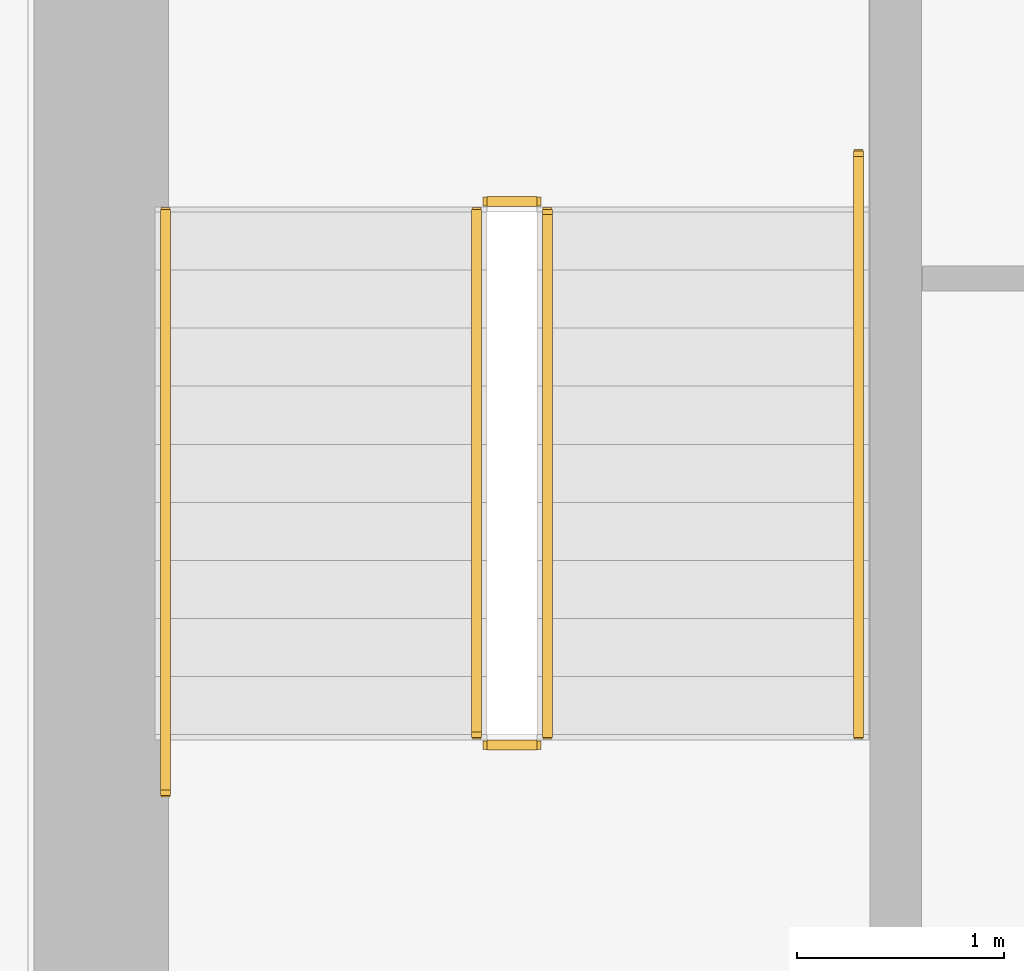
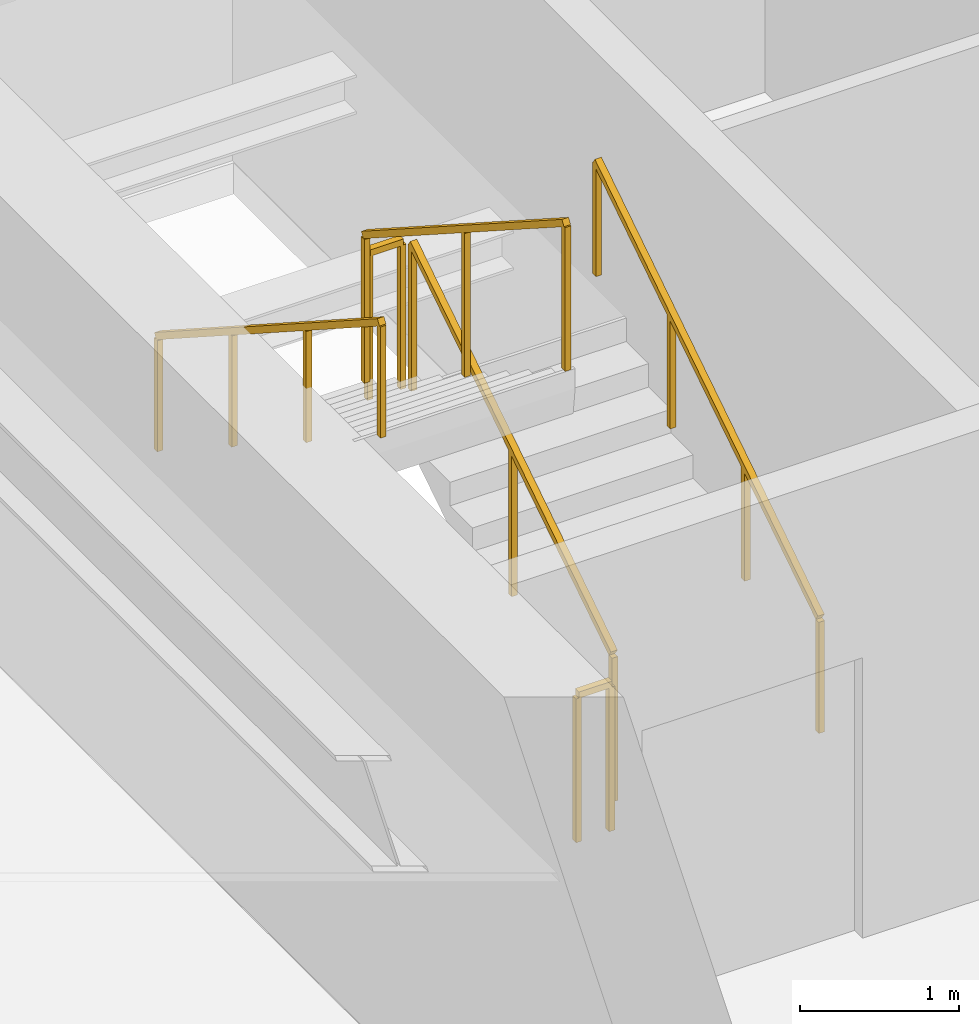
# One storey, part 33 of 36: 6 railings.
"""IFC4 building model written with IfcOpenShell, lengths in metres."""

from ifc_helpers import new_model, si_unit, direction, frame, origin, origin_2d, place, context, subcontext, project, spatial, rectangle, extrude, material, type_object, element, save


model = new_model("IFC4")

# Units and contexts
model_context = context("Model", 3, precision=1e-05, world=origin(), true_north=direction((0.0, 1.0)))
body_context = subcontext(model_context, "Body", "Model", "MODEL_VIEW")
ifc_project = project(units=[si_unit("LENGTHUNIT", "METRE"), si_unit("AREAUNIT", "SQUARE_METRE"), si_unit("VOLUMEUNIT", "CUBIC_METRE"), si_unit("PLANEANGLEUNIT", "RADIAN"), si_unit("MASSUNIT", "GRAM", prefix="KILO")], contexts=[model_context])

# Site, building, storey
site_placement = place(None, origin())
site = spatial("IfcSite", under=ifc_project, at=site_placement, CompositionType="ELEMENT")
building_placement = place(site_placement, origin())
building = spatial("IfcBuilding", under=site, at=building_placement, Name="Sumidabori Civic Tower", CompositionType="ELEMENT")
storey_placement = place(building_placement, frame((0.0, 0.0, 120.800048828125)))
storey = spatial("IfcBuildingStorey", under=building, at=storey_placement, Name="L31", CompositionType="ELEMENT", Elevation=120.800048828125)

# Railings
ifc_material_1 = material(Name="Stainless Steel Hairline Finish", Category="steel")
railing_type_1 = type_object("IfcRailingType", Name="RL-HANDRAIL", PredefinedType="HANDRAIL", material=ifc_material_1)
railing_1_placement = place(storey_placement, frame((-11.949951171875, 16.0, 0.179931640625)))
element("IfcRailing", 1, at=railing_1_placement, inside=storey, type_object=railing_type_1, Name="L31 ST-1 stair handrail 1", PredefinedType="HANDRAIL", context=body_context, shape_type="SweptSolid", body=[
    extrude(rectangle(XDim=0.048095703125, YDim=0.048095703125, at=origin_2d()), frame((0.0, 0.0, 0.8759765625), z_axis=(0.0, 0.840675598268, 0.541539046124), x_axis=(-1.0, 0.0, 0.0)), (0.0, 0.0, 1.0), 3.330810546875),
    extrude(rectangle(XDim=0.0419921875, YDim=0.0419921875, at=origin_2d()), origin(), (0.0, 0.0, 1.0), 0.851806640625),
    extrude(rectangle(XDim=0.0419921875, YDim=0.0419921875, at=origin_2d()), frame((0.0, 0.933349609375, 0.601318359375)), (0.0, 0.0, 1.0), 0.851806640625),
    extrude(rectangle(XDim=0.0419921875, YDim=0.0419921875, at=origin_2d()), frame((0.0, 1.86669921875, 1.202392578125)), (0.0, 0.0, 1.0), 0.851806640625),
    extrude(rectangle(XDim=0.0419921875, YDim=0.0419921875, at=origin_2d()), frame((0.0, 2.800048828125, 1.8037109375)), (0.0, 0.0, 1.0), 0.851806640625),
])
railing_2_placement = place(storey_placement, frame((-15.2900390625, 18.52001953125, 1.97998046875)))
element("IfcRailing", 2, at=railing_2_placement, inside=storey, type_object=railing_type_1, Name="L31 ST-1 stair handrail 2", PredefinedType="HANDRAIL", context=body_context, shape_type="SweptSolid", body=[
    extrude(rectangle(XDim=0.048095703125, YDim=0.048095703125, at=origin_2d()), frame((0.0, 0.0, 0.8759765625), z_axis=(0.0, -0.840675598268, 0.541539046124), x_axis=(1.0, 0.0, 0.0)), (0.0, 0.0, 1.0), 3.330810546875),
    extrude(rectangle(XDim=0.0419921875, YDim=0.0419921875, at=origin_2d()), origin(), (0.0, 0.0, 1.0), 0.851806640625),
    extrude(rectangle(XDim=0.0419921875, YDim=0.0419921875, at=origin_2d()), frame((0.0, -0.933349609375, 0.601318359375)), (0.0, 0.0, 1.0), 0.851806640625),
    extrude(rectangle(XDim=0.0419921875, YDim=0.0419921875, at=origin_2d()), frame((0.0, -1.86669921875, 1.202392578125)), (0.0, 0.0, 1.0), 0.851806640625),
    extrude(rectangle(XDim=0.0419921875, YDim=0.0419921875, at=origin_2d()), frame((0.0, -2.800048828125, 1.8037109375)), (0.0, 0.0, 1.0), 0.851806640625),
])
ifc_material_2 = material(Name="Steel SN490", Category="steel")
railing_type_2 = type_object("IfcRailingType", Name="RL-STAIR-GUARD", PredefinedType="GUARDRAIL", material=ifc_material_2)
railing_3_placement = place(storey_placement, frame((-13.449951171875, 16.0, 0.179931640625)))
element("IfcRailing", 3, at=railing_3_placement, inside=storey, type_object=railing_type_2, Name="L31 ST-1 stair guard 1", PredefinedType="GUARDRAIL", context=body_context, shape_type="SweptSolid", body=[
    extrude(rectangle(XDim=0.048095703125, YDim=0.048095703125, at=origin_2d()), frame((0.0, 0.0, 1.1259765625), z_axis=(0.0, 0.841162588446, 0.540782303519), x_axis=(-1.0, 0.0, 0.0)), (0.0, 0.0, 1.0), 2.995849609375),
    extrude(rectangle(XDim=0.0419921875, YDim=0.0419921875, at=origin_2d()), origin(), (0.0, 0.0, 1.0), 1.101806640625),
    extrude(rectangle(XDim=0.0419921875, YDim=0.0419921875, at=origin_2d()), frame((0.0, 1.260009765625, 0.81005859375)), (0.0, 0.0, 1.0), 1.101806640625),
    extrude(rectangle(XDim=0.0419921875, YDim=0.0419921875, at=origin_2d()), frame((0.0, 2.52001953125, 1.6201171875)), (0.0, 0.0, 1.0), 1.101806640625),
])
railing_4_placement = place(storey_placement, frame((-13.5, 18.570068359375, 1.800048828125)))
element("IfcRailing", 4, at=railing_4_placement, inside=storey, type_object=railing_type_2, Name="L31 ST-1 stair guard 2", PredefinedType="GUARDRAIL", context=body_context, shape_type="SweptSolid", body=[
    extrude(rectangle(XDim=0.048095703125, YDim=0.048095703125, at=origin_2d()), frame((0.0, 0.0, 1.1259765625), z_axis=(-1.0, 0.0, 0.0), x_axis=(0.0, -1.0, 0.0)), (0.0, 0.0, 1.0), 0.239990234375),
    extrude(rectangle(XDim=0.0419921875, YDim=0.0419921875, at=origin_2d()), origin(), (0.0, 0.0, 1.0), 1.101806640625),
    extrude(rectangle(XDim=0.0419921875, YDim=0.0419921875, at=origin_2d()), frame((-0.239990234375, 0.0, 0.0)), (0.0, 0.0, 1.0), 1.101806640625),
])
railing_5_placement = place(storey_placement, frame((-13.7900390625, 18.52001953125, 1.97998046875)))
element("IfcRailing", 5, at=railing_5_placement, inside=storey, type_object=railing_type_2, Name="L31 ST-1 stair guard 3", PredefinedType="GUARDRAIL", context=body_context, shape_type="SweptSolid", body=[
    extrude(rectangle(XDim=0.048095703125, YDim=0.048095703125, at=origin_2d()), frame((0.0, 0.0, 1.1259765625), z_axis=(0.0, -0.841199657755, 0.540724639528), x_axis=(1.0, 0.0, 0.0)), (0.0, 0.0, 1.0), 2.995849609375),
    extrude(rectangle(XDim=0.0419921875, YDim=0.0419921875, at=origin_2d()), origin(), (0.0, 0.0, 1.0), 1.101806640625),
    extrude(rectangle(XDim=0.0419921875, YDim=0.0419921875, at=origin_2d()), frame((0.0, -1.260009765625, 0.81005859375)), (0.0, 0.0, 1.0), 1.101806640625),
    extrude(rectangle(XDim=0.0419921875, YDim=0.0419921875, at=origin_2d()), frame((0.0, -2.52001953125, 1.619873046875)), (0.0, 0.0, 1.0), 1.101806640625),
])
railing_6_placement = place(storey_placement, frame((-13.5, 15.949951171875, 0.0)))
element("IfcRailing", 6, at=railing_6_placement, inside=storey, type_object=railing_type_2, Name="L31 ST-1 stair guard 4", PredefinedType="GUARDRAIL", context=body_context, shape_type="SweptSolid", body=[
    extrude(rectangle(XDim=0.048095703125, YDim=0.048095703125, at=origin_2d()), frame((0.0, 0.0, 1.1259765625), z_axis=(-1.0, 0.0, 0.0), x_axis=(0.0, -1.0, 0.0)), (0.0, 0.0, 1.0), 0.239990234375),
    extrude(rectangle(XDim=0.0419921875, YDim=0.0419921875, at=origin_2d()), origin(), (0.0, 0.0, 1.0), 1.101806640625),
    extrude(rectangle(XDim=0.0419921875, YDim=0.0419921875, at=origin_2d()), frame((-0.239990234375, 0.0, 0.0)), (0.0, 0.0, 1.0), 1.101806640625),
])

save(model, "model.ifc")
